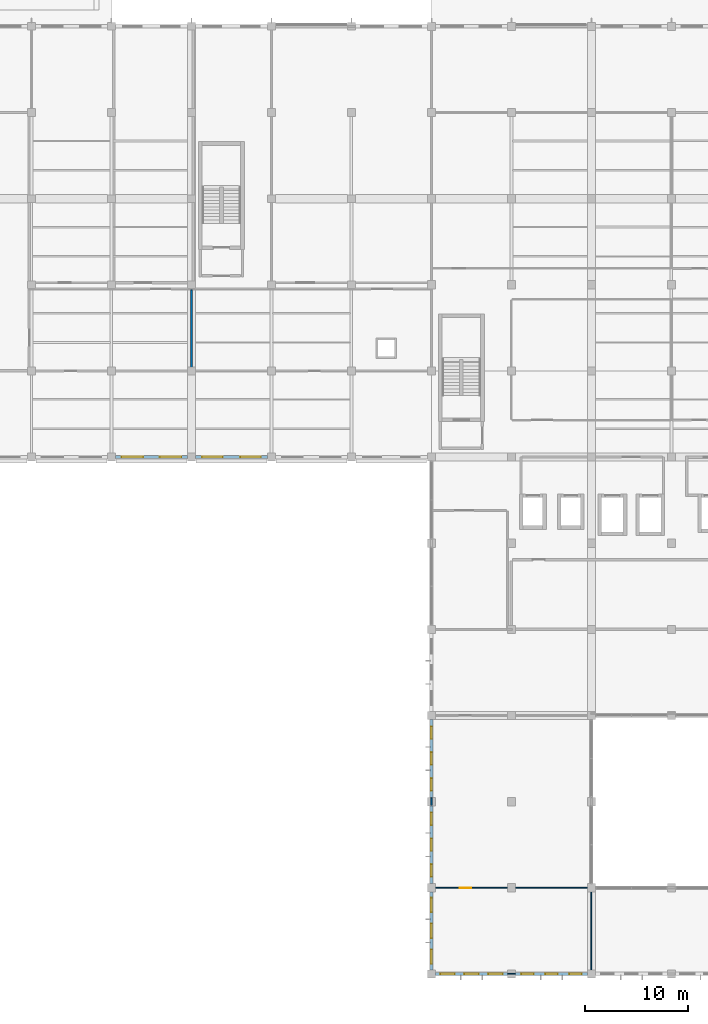
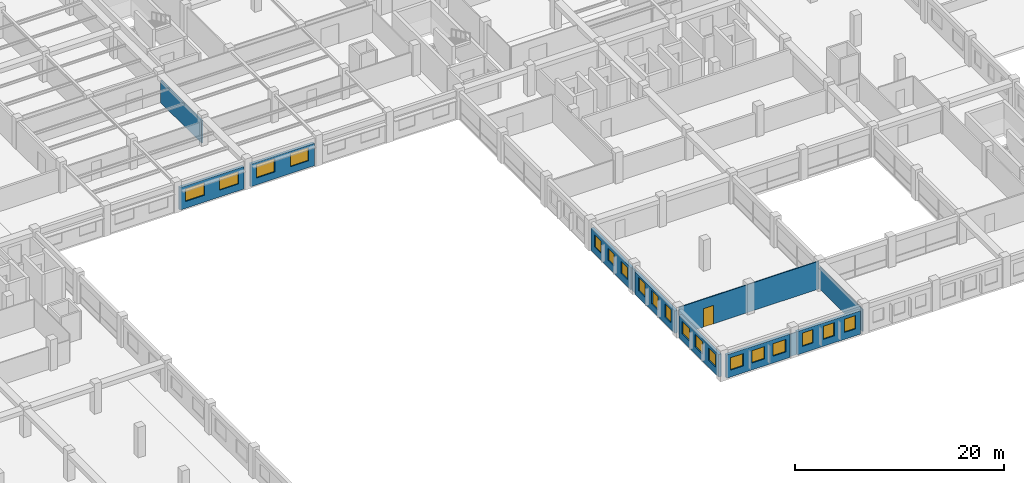
# One storey, part 38 of 50: 19 windows, 12 walls, 1 door, 20 openings.
"""IFC4 building model written with IfcOpenShell, lengths in metres."""

import ifcopenshell
import ifcopenshell.guid

model = None  # the IFC model being written
_history = None  # IfcOwnerHistory: only IFC2X3 demands one
_inside = {}  # id of a spatial element -> (the spatial element, [elements in it])
_under = {}  # id of a project, library or spatial element -> (it, [spatial elements below it])
_declared = {}  # id of a project -> (the project, [libraries it declares])
_typed = {}  # id of a type object -> (the type object, [elements of that type])
_made_of = {}  # id of a material, layer set ... -> (it, [elements and type objects made of it])


def new_model(schema):
    """Start an empty IFC model of exactly this schema.

    Asked for "IFC4X3", IfcOpenShell would pick the latest addendum, in which some entities
    have other attributes; the version numbers below select the first issue.
    IFC2X3 requires an IfcOwnerHistory on every rooted entity: one is made here for all.
    """
    global model, _history
    if schema == "IFC4X3":
        model = ifcopenshell.file(schema_version=(4, 3, 0, 0))
    else:
        model = ifcopenshell.file(schema=schema)
    _inside.clear()
    _under.clear()
    _declared.clear()
    _typed.clear()
    _made_of.clear()
    _history = None
    if model.schema == "IFC2X3":
        org = make("IfcOrganization", Name="unknown")
        user = make(
            "IfcPersonAndOrganization",
            ThePerson=make("IfcPerson", FamilyName="unknown"),
            TheOrganization=org,
        )
        app = make(
            "IfcApplication",
            ApplicationDeveloper=org,
            Version="unknown",
            ApplicationFullName="unknown",
            ApplicationIdentifier="unknown",
        )
        _history = make(
            "IfcOwnerHistory",
            OwningUser=user,
            OwningApplication=app,
            ChangeAction="ADDED",
            CreationDate=0,
        )
    return model


def make(cls, **values):
    """One entity of the class cls with the attributes given. An attribute that is None is left unset."""
    return model.create_entity(
        cls, **{name: value for name, value in values.items() if value is not None}
    )


def rooted(cls, **values):
    """An entity with a GlobalId (a new one), such as an element, a storey or a relation."""
    return make(cls, GlobalId=ifcopenshell.guid.new(), OwnerHistory=_history, **values)


def si_unit(unit_type, name, prefix=None):
    """IfcSIUnit, for example si_unit("LENGTHUNIT", "METRE", prefix="MILLI")."""
    return make("IfcSIUnit", UnitType=unit_type, Prefix=prefix, Name=name)


def assignment(units):
    """IfcUnitAssignment: the units of a project."""
    return None if units is None else make("IfcUnitAssignment", Units=units)


def point(xyz):
    """IfcCartesianPoint."""
    return None if xyz is None else make("IfcCartesianPoint", Coordinates=xyz)


def direction(xyz):
    """IfcDirection."""
    return None if xyz is None else make("IfcDirection", DirectionRatios=xyz)


def frame(location, z_axis=None, x_axis=None):
    """IfcAxis2Placement3D, a coordinate frame: its origin and axes. An axis left out is left unset."""
    return make(
        "IfcAxis2Placement3D",
        Location=point(location),
        Axis=direction(z_axis),
        RefDirection=direction(x_axis),
    )


def frame_2d(location, x_axis=None):
    """IfcAxis2Placement2D, a coordinate frame in the plane: its origin and x axis."""
    return make(
        "IfcAxis2Placement2D", Location=point(location), RefDirection=direction(x_axis)
    )


def origin():
    """The frame at (0, 0, 0) with its axes left unset."""
    return frame((0.0, 0.0, 0.0))


def place(relative_to, where):
    """IfcLocalPlacement: puts the frame where relative to a parent placement (None: the world)."""
    return make(
        "IfcLocalPlacement", PlacementRelTo=relative_to, RelativePlacement=where
    )


def context(
    kind, dimensions, precision=None, world=None, true_north=None, identifier=None
):
    """IfcGeometricRepresentationContext, for example the 3D "Model" context."""
    return make(
        "IfcGeometricRepresentationContext",
        ContextIdentifier=identifier,
        ContextType=kind,
        CoordinateSpaceDimension=dimensions,
        Precision=precision,
        WorldCoordinateSystem=world,
        TrueNorth=true_north,
    )


def subcontext(parent, identifier, kind, view, scale=None):
    """IfcGeometricRepresentationSubContext, for example "Body" below "Model"."""
    return make(
        "IfcGeometricRepresentationSubContext",
        ContextIdentifier=identifier,
        ContextType=kind,
        ParentContext=parent,
        TargetScale=scale,
        TargetView=view,
    )


def project(units=None, contexts=None):
    """IfcProject with its units and contexts."""
    return rooted(
        "IfcProject",
        Name="project",
        RepresentationContexts=contexts,
        UnitsInContext=assignment(units),
    )


def spatial(cls, under=None, at=None, **own):
    """A site, building, storey or space (cls), placed at a placement, below another one or the project."""
    s = rooted(cls, ObjectPlacement=at, **own)
    if under is not None:
        _under.setdefault(under.id(), (under, []))[1].append(s)
    return s


def profile(cls, at=None, kind="AREA", **sizes):
    """A parametric profile (cls). Its sizes go by their IFC names, for example OverallWidth=200.0."""
    return make(cls, ProfileType=kind, Position=at, **sizes)


def rectangle(**sizes):
    """IfcRectangleProfileDef."""
    return profile("IfcRectangleProfileDef", **sizes)


def extrude(swept, where, along, depth):
    """IfcExtrudedAreaSolid: the profile swept, set in the frame where, extruded along a direction by depth."""
    return make(
        "IfcExtrudedAreaSolid",
        SweptArea=swept,
        Position=where,
        ExtrudedDirection=direction(along),
        Depth=depth,
    )


def shape(context_of_items, identifier, shape_type, items):
    """IfcShapeRepresentation: the items that make up one representation, for example the "Body"."""
    return make(
        "IfcShapeRepresentation",
        ContextOfItems=context_of_items,
        RepresentationIdentifier=identifier,
        RepresentationType=shape_type,
        Items=items,
    )


def material(Name=None, Category=None):
    """IfcMaterial."""
    return make("IfcMaterial", Name=Name, Category=Category)


def layer(
    of_material, thickness, ventilated=None, Name=None, Category=None, Priority=None
):
    """IfcMaterialLayer: one layer of a wall or slab, of a material (None: an air gap)."""
    return make(
        "IfcMaterialLayer",
        Material=of_material,
        LayerThickness=thickness,
        IsVentilated=ventilated,
        Name=Name,
        Category=Category,
        Priority=Priority,
    )


def layer_set(layers, Name=None):
    """IfcMaterialLayerSet."""
    return make("IfcMaterialLayerSet", MaterialLayers=layers, LayerSetName=Name)


def made_of(thing, what):
    """Note that an element or type object is made of a material, layer set ...; save() writes the relation."""
    if what is not None:
        _made_of.setdefault(what.id(), (what, []))[1].append(thing)
    return thing


def type_object(cls, material=None, **own):
    """A type object (cls), such as IfcWallType, which elements share."""
    return made_of(rooted(cls, **own), material)


def element(
    cls,
    number,
    at=None,
    inside=None,
    cuts=None,
    type_object=None,
    material=None,
    context=None,
    identifier="Body",
    shape_type=None,
    held_by="IfcProductDefinitionShape",
    body=None,
    shapes=None,
    **own,
):
    """One element of the class cls, such as IfcWall. Its Tag is "e" and its number.

    at: its placement. inside: the storey or other place that contains it. cuts: it is an
    opening in that element (IfcRelVoidsElement). A single representation is given by context,
    identifier, shape_type and body (its items); several are given by shapes. held_by: the class
    of the entity that holds the representations. save() writes the other relations.
    """
    e = rooted(cls, Tag="e%d" % number, ObjectPlacement=at, **own)
    if body is not None:
        shapes = [shape(context, identifier, shape_type, body)]
    if shapes is not None:
        e.Representation = make(held_by, Representations=shapes)
    if inside is not None:
        _inside.setdefault(inside.id(), (inside, []))[1].append(e)
    if cuts is not None:
        rooted(
            "IfcRelVoidsElement", RelatingBuildingElement=cuts, RelatedOpeningElement=e
        )
    if type_object is not None:
        _typed.setdefault(type_object.id(), (type_object, []))[1].append(e)
    return made_of(e, material)


def fill(opening, filler):
    """IfcRelFillsElement: the door or window that sits in an opening."""
    return rooted(
        "IfcRelFillsElement",
        RelatingOpeningElement=opening,
        RelatedBuildingElement=filler,
    )


def aggregate(whole, parts):
    """IfcRelAggregates: a whole, such as a stair, and the parts it consists of."""
    return rooted("IfcRelAggregates", RelatingObject=whole, RelatedObjects=parts)


def save(model, path):
    """Write the relations noted so far, then the file.

    IfcRelAggregates (storeys below a building ...), IfcRelContainedInSpatialStructure (elements
    in a storey), IfcRelDefinesByType, IfcRelAssociatesMaterial and IfcRelDeclares: one each for
    every whole, place, type object, material and project.
    """
    for whole, parts in _under.values():
        aggregate(whole, parts)
    for where, things in _inside.values():
        rooted(
            "IfcRelContainedInSpatialStructure",
            RelatedElements=things,
            RelatingStructure=where,
        )
    for kind, things in _typed.values():
        rooted("IfcRelDefinesByType", RelatedObjects=things, RelatingType=kind)
    for what, things in _made_of.values():
        rooted("IfcRelAssociatesMaterial", RelatedObjects=things, RelatingMaterial=what)
    for by, libraries in _declared.values():
        rooted("IfcRelDeclares", RelatingContext=by, RelatedDefinitions=libraries)
    model.write(path)


model = new_model("IFC4")

# Units and contexts
model_context = context("Model", 3, precision=1e-05, world=origin(), true_north=direction((0.0, 1.0)))
body_context = subcontext(model_context, "Body", "Model", "MODEL_VIEW")
ifc_project = project(units=[si_unit("LENGTHUNIT", "METRE"), si_unit("AREAUNIT", "SQUARE_METRE"), si_unit("VOLUMEUNIT", "CUBIC_METRE"), si_unit("PLANEANGLEUNIT", "RADIAN"), si_unit("MASSUNIT", "GRAM", prefix="KILO"), si_unit("THERMODYNAMICTEMPERATUREUNIT", "KELVIN"), si_unit("POWERUNIT", "WATT")], contexts=[model_context])

# Site, building, storey
site_placement = place(None, origin())
site = spatial("IfcSite", under=ifc_project, at=site_placement, CompositionType="ELEMENT")
building_placement = place(site_placement, origin())
building = spatial("IfcBuilding", under=site, at=building_placement, Name="Srebrne Nadtorze General Hospital", CompositionType="ELEMENT")
storey_placement = place(building_placement, frame((0.0, 0.0, 14.39990234375)))
storey = spatial("IfcBuildingStorey", under=building, at=storey_placement, Name="L03", CompositionType="ELEMENT", Elevation=14.39990234375)

# Walls
ifc_material_1 = material(Name="Gypsum Healthcare Partition")
ifc_layer_1 = layer(ifc_material_1, 0.139892578125)
ifc_layer_set_1 = layer_set([ifc_layer_1], Name="Gypsum Healthcare Partition")
wall_type_1 = type_object("IfcWallType", Name="Clinical partition 140", PredefinedType="PARTITIONING", material=ifc_layer_set_1)
wall_1_placement = place(storey_placement, frame((101.39990234375, 16.43994140625, 0.0), z_axis=(0.0, 0.0, 1.0), x_axis=(0.0, 1.0, 0.0)))
element("IfcWall", 1, at=wall_1_placement, inside=storey, type_object=wall_type_1, Name="Outpatient Rehabilitation Clinic wall WL-INT-L03-1628", PredefinedType="PARTITIONING", context=body_context, shape_type="SweptSolid", body=[
    extrude(rectangle(XDim=0.719970703125, YDim=0.139892578125, at=frame_2d((0.35986328125, 0.0))), origin(), (0.0, 0.0, 1.0), 2.6201171875),
])
ifc_material_2 = material(Name="Gypsum Healthcare Partition")
ifc_layer_2 = layer(ifc_material_2, 0.159912109375)
ifc_layer_set_2 = layer_set([ifc_layer_2], Name="Gypsum Healthcare Partition")
wall_type_2 = type_object("IfcWallType", Name="Clinical partition 160", PredefinedType="PARTITIONING", material=ifc_layer_set_2)
wall_2_placement = place(storey_placement, frame((78.0, 58.885009765625, 0.0), z_axis=(0.0, 0.0, 1.0), x_axis=(0.0, 1.0, 0.0)))
element("IfcWall", 2, at=wall_2_placement, inside=storey, type_object=wall_type_2, Name="Surgical Endoscope Reprocessing Suite wall WL-INT-L03-1652", PredefinedType="PARTITIONING", context=body_context, shape_type="SweptSolid", body=[
    extrude(rectangle(XDim=7.830078125, YDim=0.159912109375, at=frame_2d((3.9150390625, 0.0))), origin(), (0.0, 0.0, 1.0), 2.6201171875),
])

# Wall, openings, windows
ifc_material_3 = material(Name="Concrete C40/50 precast", Category="concrete")
ifc_layer_3 = layer(ifc_material_3, 0.300048828125)
ifc_layer_set_3 = layer_set([ifc_layer_3], Name="Concrete C40/50 precast")
wall_type_3 = type_object("IfcWallType", Name="Limestone precast wall 300", PredefinedType="STANDARD", material=ifc_layer_set_3)
wall_3_placement = place(storey_placement, frame((101.800048828125, 0.0, 0.0), z_axis=(0.0, 0.0, 1.0), x_axis=(1.0, 0.0, 0.0)))
wall_3 = element("IfcWall", 3, at=wall_3_placement, inside=storey, type_object=wall_type_3, Name="Exterior wall WL-ENV-L03-0286", PredefinedType="STANDARD", context=body_context, shape_type="SweptSolid", body=[
    extrude(rectangle(XDim=7.0, YDim=0.300048828125, at=frame_2d((3.5, 0.0))), origin(), (0.0, 0.0, 1.0), 2.72021484375),
])
opening_1_placement = place(wall_3_placement, frame((0.4599609375, 0.0, 0.800048828125)))
opening_1 = element("IfcOpeningElement", 4, at=opening_1_placement, cuts=wall_3, Name="Opening WN-L03-0393", PredefinedType="OPENING", context=body_context, shape_type="SweptSolid", body=[
    extrude(rectangle(XDim=1.39990234375, YDim=1.449951171875, at=frame_2d((0.699951171875, 0.72509765625))), frame((0.0, 0.162109375, 0.0), z_axis=(0.0, -1.0, 0.0), x_axis=(1.0, 0.0, 0.0)), (0.0, 0.0, 1.0), 0.323974609375),
])
opening_2_placement = place(wall_3_placement, frame((2.800048828125, 0.0, 0.800048828125)))
opening_2 = element("IfcOpeningElement", 5, at=opening_2_placement, cuts=wall_3, Name="Opening WN-L03-0394", PredefinedType="OPENING", context=body_context, shape_type="SweptSolid", body=[
    extrude(rectangle(XDim=1.39990234375, YDim=1.449951171875, at=frame_2d((0.699951171875, 0.72509765625))), frame((0.0, 0.162109375, 0.0), z_axis=(0.0, -1.0, 0.0), x_axis=(1.0, 0.0, 0.0)), (0.0, 0.0, 1.0), 0.323974609375),
])
opening_3_placement = place(wall_3_placement, frame((5.139892578125, 0.0, 0.800048828125)))
opening_3 = element("IfcOpeningElement", 6, at=opening_3_placement, cuts=wall_3, Name="Opening WN-L03-0395", PredefinedType="OPENING", context=body_context, shape_type="SweptSolid", body=[
    extrude(rectangle(XDim=1.39990234375, YDim=1.449951171875, at=frame_2d((0.699951171875, 0.72509765625))), frame((0.0, 0.162109375, 0.0), z_axis=(0.0, -1.0, 0.0), x_axis=(1.0, 0.0, 0.0)), (0.0, 0.0, 1.0), 0.323974609375),
])
ifc_material_4 = material(Name="Triple Low-E Glazing", Category="glass")
window_type_1 = type_object("IfcWindowType", Name="Punched clinical window 1400x1450", PartitioningType="SINGLE_PANEL", PredefinedType="WINDOW", material=ifc_material_4)
window_1_placement = place(opening_1_placement, origin())
window_1 = element("IfcWindow", 7, at=window_1_placement, inside=storey, type_object=window_type_1, Name="Clinical window WN-L03-0393", OverallHeight=1.449951171875, OverallWidth=1.39990234375, PartitioningType="SINGLE_PANEL", PredefinedType="WINDOW", context=body_context, shape_type="SweptSolid", body=[
    extrude(rectangle(XDim=1.39990234375, YDim=1.449951171875, at=frame_2d((0.699951171875, 0.72509765625))), frame((0.0, 0.030029296875, 0.0), z_axis=(0.0, -1.0, 0.0), x_axis=(1.0, 0.0, 0.0)), (0.0, 0.0, 1.0), 0.06005859375),
])
fill(opening_1, window_1)
window_2_placement = place(opening_2_placement, origin())
window_2 = element("IfcWindow", 8, at=window_2_placement, inside=storey, type_object=window_type_1, Name="Clinical window WN-L03-0394", OverallHeight=1.449951171875, OverallWidth=1.39990234375, PartitioningType="SINGLE_PANEL", PredefinedType="WINDOW", context=body_context, shape_type="SweptSolid", body=[
    extrude(rectangle(XDim=1.39990234375, YDim=1.449951171875, at=frame_2d((0.699951171875, 0.72509765625))), frame((0.0, 0.030029296875, 0.0), z_axis=(0.0, -1.0, 0.0), x_axis=(1.0, 0.0, 0.0)), (0.0, 0.0, 1.0), 0.06005859375),
])
fill(opening_2, window_2)
window_3_placement = place(opening_3_placement, origin())
window_3 = element("IfcWindow", 9, at=window_3_placement, inside=storey, type_object=window_type_1, Name="Clinical window WN-L03-0395", OverallHeight=1.449951171875, OverallWidth=1.39990234375, PartitioningType="SINGLE_PANEL", PredefinedType="WINDOW", context=body_context, shape_type="SweptSolid", body=[
    extrude(rectangle(XDim=1.39990234375, YDim=1.449951171875, at=frame_2d((0.699951171875, 0.72509765625))), frame((0.0, 0.030029296875, 0.0), z_axis=(0.0, -1.0, 0.0), x_axis=(1.0, 0.0, 0.0)), (0.0, 0.0, 1.0), 0.06005859375),
])
fill(opening_3, window_3)

wall_4_placement = place(storey_placement, frame((109.60009765625, 0.0, 0.0), z_axis=(0.0, 0.0, 1.0), x_axis=(1.0, 0.0, 0.0)))
wall_4 = element("IfcWall", 10, at=wall_4_placement, inside=storey, type_object=wall_type_3, Name="Exterior wall WL-ENV-L03-0287", PredefinedType="STANDARD", context=body_context, shape_type="SweptSolid", body=[
    extrude(rectangle(XDim=7.0, YDim=0.300048828125, at=frame_2d((3.5, 0.0))), origin(), (0.0, 0.0, 1.0), 2.72021484375),
])
opening_4_placement = place(wall_4_placement, frame((0.56005859375, 0.0, 0.800048828125)))
opening_4 = element("IfcOpeningElement", 11, at=opening_4_placement, cuts=wall_4, Name="Opening WN-L03-0396", PredefinedType="OPENING", context=body_context, shape_type="SweptSolid", body=[
    extrude(rectangle(XDim=1.199951171875, YDim=1.550048828125, at=frame_2d((0.60009765625, 0.77490234375))), frame((0.0, 0.162109375, 0.0), z_axis=(0.0, -1.0, 0.0), x_axis=(1.0, 0.0, 0.0)), (0.0, 0.0, 1.0), 0.323974609375),
])
opening_5_placement = place(wall_4_placement, frame((2.89990234375, 0.0, 0.800048828125)))
opening_5 = element("IfcOpeningElement", 12, at=opening_5_placement, cuts=wall_4, Name="Opening WN-L03-0397", PredefinedType="OPENING", context=body_context, shape_type="SweptSolid", body=[
    extrude(rectangle(XDim=1.199951171875, YDim=1.550048828125, at=frame_2d((0.60009765625, 0.77490234375))), frame((0.0, 0.162109375, 0.0), z_axis=(0.0, -1.0, 0.0), x_axis=(1.0, 0.0, 0.0)), (0.0, 0.0, 1.0), 0.323974609375),
])
opening_6_placement = place(wall_4_placement, frame((5.239990234375, 0.0, 0.800048828125)))
opening_6 = element("IfcOpeningElement", 13, at=opening_6_placement, cuts=wall_4, Name="Opening WN-L03-0398", PredefinedType="OPENING", context=body_context, shape_type="SweptSolid", body=[
    extrude(rectangle(XDim=1.199951171875, YDim=1.550048828125, at=frame_2d((0.60009765625, 0.77490234375))), frame((0.0, 0.162109375, 0.0), z_axis=(0.0, -1.0, 0.0), x_axis=(1.0, 0.0, 0.0)), (0.0, 0.0, 1.0), 0.323974609375),
])
ifc_material_5 = material(Name="Triple Low-E Glazing", Category="glass")
window_type_2 = type_object("IfcWindowType", Name="Punched clinical window 1200x1550", PartitioningType="SINGLE_PANEL", PredefinedType="WINDOW", material=ifc_material_5)
window_4_placement = place(opening_4_placement, origin())
window_4 = element("IfcWindow", 14, at=window_4_placement, inside=storey, type_object=window_type_2, Name="Clinical window WN-L03-0396", OverallHeight=1.550048828125, OverallWidth=1.199951171875, PartitioningType="SINGLE_PANEL", PredefinedType="WINDOW", context=body_context, shape_type="SweptSolid", body=[
    extrude(rectangle(XDim=1.199951171875, YDim=1.550048828125, at=frame_2d((0.60009765625, 0.77490234375))), frame((0.0, 0.030029296875, 0.0), z_axis=(0.0, -1.0, 0.0), x_axis=(1.0, 0.0, 0.0)), (0.0, 0.0, 1.0), 0.06005859375),
])
fill(opening_4, window_4)
window_5_placement = place(opening_5_placement, origin())
window_5 = element("IfcWindow", 15, at=window_5_placement, inside=storey, type_object=window_type_2, Name="Clinical window WN-L03-0397", OverallHeight=1.550048828125, OverallWidth=1.199951171875, PartitioningType="SINGLE_PANEL", PredefinedType="WINDOW", context=body_context, shape_type="SweptSolid", body=[
    extrude(rectangle(XDim=1.199951171875, YDim=1.550048828125, at=frame_2d((0.60009765625, 0.77490234375))), frame((0.0, 0.030029296875, 0.0), z_axis=(0.0, -1.0, 0.0), x_axis=(1.0, 0.0, 0.0)), (0.0, 0.0, 1.0), 0.06005859375),
])
fill(opening_5, window_5)
window_6_placement = place(opening_6_placement, origin())
window_6 = element("IfcWindow", 16, at=window_6_placement, inside=storey, type_object=window_type_2, Name="Clinical window WN-L03-0398", OverallHeight=1.550048828125, OverallWidth=1.199951171875, PartitioningType="SINGLE_PANEL", PredefinedType="WINDOW", context=body_context, shape_type="SweptSolid", body=[
    extrude(rectangle(XDim=1.199951171875, YDim=1.550048828125, at=frame_2d((0.60009765625, 0.77490234375))), frame((0.0, 0.030029296875, 0.0), z_axis=(0.0, -1.0, 0.0), x_axis=(1.0, 0.0, 0.0)), (0.0, 0.0, 1.0), 0.06005859375),
])
fill(opening_6, window_6)

wall_5_placement = place(storey_placement, frame((101.39990234375, 0.39990234375, 0.0), z_axis=(0.0, 0.0, 1.0), x_axis=(0.0, 1.0, 0.0)))
wall_5 = element("IfcWall", 17, at=wall_5_placement, inside=storey, type_object=wall_type_3, Name="Exterior wall WL-ENV-L03-0329", PredefinedType="STANDARD", context=body_context, shape_type="SweptSolid", body=[
    extrude(rectangle(XDim=7.60009765625, YDim=0.300048828125, at=frame_2d((3.800048828125, 0.0))), origin(), (0.0, 0.0, 1.0), 2.6201171875),
])
opening_7_placement = place(wall_5_placement, frame((0.580078125, 0.0, 0.800048828125)))
opening_7 = element("IfcOpeningElement", 18, at=opening_7_placement, cuts=wall_5, Name="Opening WN-L03-0473", PredefinedType="OPENING", context=body_context, shape_type="SweptSolid", body=[
    extrude(rectangle(XDim=1.39990234375, YDim=1.449951171875, at=frame_2d((0.699951171875, 0.72509765625))), frame((0.0, 0.162109375, 0.0), z_axis=(0.0, -1.0, 0.0), x_axis=(1.0, 0.0, 0.0)), (0.0, 0.0, 1.0), 0.323974609375),
])
opening_8_placement = place(wall_5_placement, frame((3.10009765625, 0.0, 0.800048828125)))
opening_8 = element("IfcOpeningElement", 19, at=opening_8_placement, cuts=wall_5, Name="Opening WN-L03-0474", PredefinedType="OPENING", context=body_context, shape_type="SweptSolid", body=[
    extrude(rectangle(XDim=1.39990234375, YDim=1.449951171875, at=frame_2d((0.699951171875, 0.72509765625))), frame((0.0, 0.162109375, 0.0), z_axis=(0.0, -1.0, 0.0), x_axis=(1.0, 0.0, 0.0)), (0.0, 0.0, 1.0), 0.323974609375),
])
opening_9_placement = place(wall_5_placement, frame((5.6201171875, 0.0, 0.800048828125)))
opening_9 = element("IfcOpeningElement", 20, at=opening_9_placement, cuts=wall_5, Name="Opening WN-L03-0475", PredefinedType="OPENING", context=body_context, shape_type="SweptSolid", body=[
    extrude(rectangle(XDim=1.39990234375, YDim=1.449951171875, at=frame_2d((0.699951171875, 0.72509765625))), frame((0.0, 0.162109375, 0.0), z_axis=(0.0, -1.0, 0.0), x_axis=(1.0, 0.0, 0.0)), (0.0, 0.0, 1.0), 0.323974609375),
])
window_7_placement = place(opening_7_placement, origin())
window_7 = element("IfcWindow", 21, at=window_7_placement, inside=storey, type_object=window_type_1, Name="Clinical window WN-L03-0473", OverallHeight=1.449951171875, OverallWidth=1.39990234375, PartitioningType="SINGLE_PANEL", PredefinedType="WINDOW", context=body_context, shape_type="SweptSolid", body=[
    extrude(rectangle(XDim=1.39990234375, YDim=1.449951171875, at=frame_2d((0.699951171875, 0.72509765625))), frame((0.0, 0.030029296875, 0.0), z_axis=(0.0, -1.0, 0.0), x_axis=(1.0, 0.0, 0.0)), (0.0, 0.0, 1.0), 0.06005859375),
])
fill(opening_7, window_7)
window_8_placement = place(opening_8_placement, origin())
window_8 = element("IfcWindow", 22, at=window_8_placement, inside=storey, type_object=window_type_1, Name="Clinical window WN-L03-0474", OverallHeight=1.449951171875, OverallWidth=1.39990234375, PartitioningType="SINGLE_PANEL", PredefinedType="WINDOW", context=body_context, shape_type="SweptSolid", body=[
    extrude(rectangle(XDim=1.39990234375, YDim=1.449951171875, at=frame_2d((0.699951171875, 0.72509765625))), frame((0.0, 0.030029296875, 0.0), z_axis=(0.0, -1.0, 0.0), x_axis=(1.0, 0.0, 0.0)), (0.0, 0.0, 1.0), 0.06005859375),
])
fill(opening_8, window_8)
window_9_placement = place(opening_9_placement, origin())
window_9 = element("IfcWindow", 23, at=window_9_placement, inside=storey, type_object=window_type_1, Name="Clinical window WN-L03-0475", OverallHeight=1.449951171875, OverallWidth=1.39990234375, PartitioningType="SINGLE_PANEL", PredefinedType="WINDOW", context=body_context, shape_type="SweptSolid", body=[
    extrude(rectangle(XDim=1.39990234375, YDim=1.449951171875, at=frame_2d((0.699951171875, 0.72509765625))), frame((0.0, 0.030029296875, 0.0), z_axis=(0.0, -1.0, 0.0), x_axis=(1.0, 0.0, 0.0)), (0.0, 0.0, 1.0), 0.06005859375),
])
fill(opening_9, window_9)

wall_6_placement = place(storey_placement, frame((101.39990234375, 8.800048828125, 0.0), z_axis=(0.0, 0.0, 1.0), x_axis=(0.0, 1.0, 0.0)))
wall_6 = element("IfcWall", 24, at=wall_6_placement, inside=storey, type_object=wall_type_3, Name="Exterior wall WL-ENV-L03-0330", PredefinedType="STANDARD", context=body_context, shape_type="SweptSolid", body=[
    extrude(rectangle(XDim=7.599853515625, YDim=0.300048828125, at=frame_2d((3.7998046875, 0.0))), origin(), (0.0, 0.0, 1.0), 2.6201171875),
])
opening_10_placement = place(wall_6_placement, frame((0.679931640625, 0.0, 0.800048828125)))
opening_10 = element("IfcOpeningElement", 25, at=opening_10_placement, cuts=wall_6, Name="Opening WN-L03-0476", PredefinedType="OPENING", context=body_context, shape_type="SweptSolid", body=[
    extrude(rectangle(XDim=1.199951171875, YDim=1.550048828125, at=frame_2d((0.60009765625, 0.77490234375))), frame((0.0, 0.162109375, 0.0), z_axis=(0.0, -1.0, 0.0), x_axis=(1.0, 0.0, 0.0)), (0.0, 0.0, 1.0), 0.323974609375),
])
opening_11_placement = place(wall_6_placement, frame((3.199951171875, 0.0, 0.800048828125)))
opening_11 = element("IfcOpeningElement", 26, at=opening_11_placement, cuts=wall_6, Name="Opening WN-L03-0477", PredefinedType="OPENING", context=body_context, shape_type="SweptSolid", body=[
    extrude(rectangle(XDim=1.199951171875, YDim=1.550048828125, at=frame_2d((0.60009765625, 0.77490234375))), frame((0.0, 0.162109375, 0.0), z_axis=(0.0, -1.0, 0.0), x_axis=(1.0, 0.0, 0.0)), (0.0, 0.0, 1.0), 0.323974609375),
])
opening_12_placement = place(wall_6_placement, frame((5.719970703125, 0.0, 0.800048828125)))
opening_12 = element("IfcOpeningElement", 27, at=opening_12_placement, cuts=wall_6, Name="Opening WN-L03-0478", PredefinedType="OPENING", context=body_context, shape_type="SweptSolid", body=[
    extrude(rectangle(XDim=1.199951171875, YDim=1.550048828125, at=frame_2d((0.60009765625, 0.77490234375))), frame((0.0, 0.162109375, 0.0), z_axis=(0.0, -1.0, 0.0), x_axis=(1.0, 0.0, 0.0)), (0.0, 0.0, 1.0), 0.323974609375),
])
window_10_placement = place(opening_10_placement, origin())
window_10 = element("IfcWindow", 28, at=window_10_placement, inside=storey, type_object=window_type_2, Name="Clinical window WN-L03-0476", OverallHeight=1.550048828125, OverallWidth=1.199951171875, PartitioningType="SINGLE_PANEL", PredefinedType="WINDOW", context=body_context, shape_type="SweptSolid", body=[
    extrude(rectangle(XDim=1.199951171875, YDim=1.550048828125, at=frame_2d((0.60009765625, 0.77490234375))), frame((0.0, 0.030029296875, 0.0), z_axis=(0.0, -1.0, 0.0), x_axis=(1.0, 0.0, 0.0)), (0.0, 0.0, 1.0), 0.06005859375),
])
fill(opening_10, window_10)
window_11_placement = place(opening_11_placement, origin())
window_11 = element("IfcWindow", 29, at=window_11_placement, inside=storey, type_object=window_type_2, Name="Clinical window WN-L03-0477", OverallHeight=1.550048828125, OverallWidth=1.199951171875, PartitioningType="SINGLE_PANEL", PredefinedType="WINDOW", context=body_context, shape_type="SweptSolid", body=[
    extrude(rectangle(XDim=1.199951171875, YDim=1.550048828125, at=frame_2d((0.60009765625, 0.77490234375))), frame((0.0, 0.030029296875, 0.0), z_axis=(0.0, -1.0, 0.0), x_axis=(1.0, 0.0, 0.0)), (0.0, 0.0, 1.0), 0.06005859375),
])
fill(opening_11, window_11)
window_12_placement = place(opening_12_placement, origin())
window_12 = element("IfcWindow", 30, at=window_12_placement, inside=storey, type_object=window_type_2, Name="Clinical window WN-L03-0478", OverallHeight=1.550048828125, OverallWidth=1.199951171875, PartitioningType="SINGLE_PANEL", PredefinedType="WINDOW", context=body_context, shape_type="SweptSolid", body=[
    extrude(rectangle(XDim=1.199951171875, YDim=1.550048828125, at=frame_2d((0.60009765625, 0.77490234375))), frame((0.0, 0.030029296875, 0.0), z_axis=(0.0, -1.0, 0.0), x_axis=(1.0, 0.0, 0.0)), (0.0, 0.0, 1.0), 0.06005859375),
])
fill(opening_12, window_12)

wall_7_placement = place(storey_placement, frame((101.39990234375, 17.199951171875, 0.0), z_axis=(0.0, 0.0, 1.0), x_axis=(0.0, 1.0, 0.0)))
wall_7 = element("IfcWall", 31, at=wall_7_placement, inside=storey, type_object=wall_type_3, Name="Exterior wall WL-ENV-L03-0331", PredefinedType="STANDARD", context=body_context, shape_type="SweptSolid", body=[
    extrude(rectangle(XDim=7.60009765625, YDim=0.300048828125, at=frame_2d((3.800048828125, 0.0))), origin(), (0.0, 0.0, 1.0), 2.6201171875),
])
opening_13_placement = place(wall_7_placement, frame((0.679931640625, 0.0, 0.800048828125)))
opening_13 = element("IfcOpeningElement", 32, at=opening_13_placement, cuts=wall_7, Name="Opening WN-L03-0479", PredefinedType="OPENING", context=body_context, shape_type="SweptSolid", body=[
    extrude(rectangle(XDim=1.199951171875, YDim=1.39990234375, at=frame_2d((0.60009765625, 0.699951171875))), frame((0.0, 0.162109375, 0.0), z_axis=(0.0, -1.0, 0.0), x_axis=(1.0, 0.0, 0.0)), (0.0, 0.0, 1.0), 0.323974609375),
])
opening_14_placement = place(wall_7_placement, frame((3.199951171875, 0.0, 0.800048828125)))
opening_14 = element("IfcOpeningElement", 33, at=opening_14_placement, cuts=wall_7, Name="Opening WN-L03-0480", PredefinedType="OPENING", context=body_context, shape_type="SweptSolid", body=[
    extrude(rectangle(XDim=1.199951171875, YDim=1.39990234375, at=frame_2d((0.60009765625, 0.699951171875))), frame((0.0, 0.162109375, 0.0), z_axis=(0.0, -1.0, 0.0), x_axis=(1.0, 0.0, 0.0)), (0.0, 0.0, 1.0), 0.323974609375),
])
opening_15_placement = place(wall_7_placement, frame((5.719970703125, 0.0, 0.800048828125)))
opening_15 = element("IfcOpeningElement", 34, at=opening_15_placement, cuts=wall_7, Name="Opening WN-L03-0481", PredefinedType="OPENING", context=body_context, shape_type="SweptSolid", body=[
    extrude(rectangle(XDim=1.199951171875, YDim=1.39990234375, at=frame_2d((0.60009765625, 0.699951171875))), frame((0.0, 0.162109375, 0.0), z_axis=(0.0, -1.0, 0.0), x_axis=(1.0, 0.0, 0.0)), (0.0, 0.0, 1.0), 0.323974609375),
])
ifc_material_6 = material(Name="Triple Low-E Glazing", Category="glass")
window_type_3 = type_object("IfcWindowType", Name="Punched clinical window 1200x1400", PartitioningType="SINGLE_PANEL", PredefinedType="WINDOW", material=ifc_material_6)
window_13_placement = place(opening_13_placement, origin())
window_13 = element("IfcWindow", 35, at=window_13_placement, inside=storey, type_object=window_type_3, Name="Clinical window WN-L03-0479", OverallHeight=1.39990234375, OverallWidth=1.199951171875, PartitioningType="SINGLE_PANEL", PredefinedType="WINDOW", context=body_context, shape_type="SweptSolid", body=[
    extrude(rectangle(XDim=1.199951171875, YDim=1.39990234375, at=frame_2d((0.60009765625, 0.699951171875))), frame((0.0, 0.030029296875, 0.0), z_axis=(0.0, -1.0, 0.0), x_axis=(1.0, 0.0, 0.0)), (0.0, 0.0, 1.0), 0.06005859375),
])
fill(opening_13, window_13)
window_14_placement = place(opening_14_placement, origin())
window_14 = element("IfcWindow", 36, at=window_14_placement, inside=storey, type_object=window_type_3, Name="Clinical window WN-L03-0480", OverallHeight=1.39990234375, OverallWidth=1.199951171875, PartitioningType="SINGLE_PANEL", PredefinedType="WINDOW", context=body_context, shape_type="SweptSolid", body=[
    extrude(rectangle(XDim=1.199951171875, YDim=1.39990234375, at=frame_2d((0.60009765625, 0.699951171875))), frame((0.0, 0.030029296875, 0.0), z_axis=(0.0, -1.0, 0.0), x_axis=(1.0, 0.0, 0.0)), (0.0, 0.0, 1.0), 0.06005859375),
])
fill(opening_14, window_14)
window_15_placement = place(opening_15_placement, origin())
window_15 = element("IfcWindow", 37, at=window_15_placement, inside=storey, type_object=window_type_3, Name="Clinical window WN-L03-0481", OverallHeight=1.39990234375, OverallWidth=1.199951171875, PartitioningType="SINGLE_PANEL", PredefinedType="WINDOW", context=body_context, shape_type="SweptSolid", body=[
    extrude(rectangle(XDim=1.199951171875, YDim=1.39990234375, at=frame_2d((0.60009765625, 0.699951171875))), frame((0.0, 0.030029296875, 0.0), z_axis=(0.0, -1.0, 0.0), x_axis=(1.0, 0.0, 0.0)), (0.0, 0.0, 1.0), 0.06005859375),
])
fill(opening_15, window_15)

# Wall, opening, door
ifc_material_7 = material(Name="Gypsum Healthcare Partition")
ifc_layer_4 = layer(ifc_material_7, 0.10009765625)
ifc_layer_set_4 = layer_set([ifc_layer_4], Name="Gypsum Healthcare Partition")
wall_type_4 = type_object("IfcWallType", Name="Shaft lining wall 100", PredefinedType="PARTITIONING", material=ifc_layer_set_4)
wall_8_placement = place(storey_placement, frame((101.485107421875, 8.39990234375, 0.0), z_axis=(0.0, 0.0, 1.0), x_axis=(1.0, 0.0, 0.0)))
wall_8 = element("IfcWall", 38, at=wall_8_placement, inside=storey, type_object=wall_type_4, Name="Outpatient Dermatology Clinic wall WL-INT-L03-1619", PredefinedType="PARTITIONING", context=body_context, shape_type="SweptSolid", body=[
    extrude(rectangle(XDim=15.429931640625, YDim=0.10009765625, at=frame_2d((7.71484375, 0.0))), origin(), (0.0, 0.0, 1.0), 3.25),
])
opening_16_placement = place(wall_8_placement, frame((2.65283203125, 0.0, 0.0)))
opening_16 = element("IfcOpeningElement", 39, at=opening_16_placement, cuts=wall_8, Name="Opening D-L03-0269", PredefinedType="OPENING", context=body_context, shape_type="SweptSolid", body=[
    extrude(rectangle(XDim=1.14990234375, YDim=2.14990234375, at=frame_2d((0.574951171875, 1.074951171875))), frame((0.0, 0.06201171875, 0.0), z_axis=(0.0, -1.0, 0.0), x_axis=(1.0, 0.0, 0.0)), (0.0, 0.0, 1.0), 0.1240234375),
])
ifc_material_8 = material(Name="Anodised Aluminium", Category="aluminium")
door_type = type_object("IfcDoorType", Name="Single leaf door 1150x2150", OperationType="NOTDEFINED", PredefinedType="DOOR", material=ifc_material_8)
door_placement = place(opening_16_placement, frame((1.14990234375, 0.0, 0.0), z_axis=(0.0, 0.0, 1.0), x_axis=(-1.0, 0.0, 0.0)))
door = element("IfcDoor", 40, at=door_placement, inside=storey, type_object=door_type, Name="Outpatient Dermatology Clinic door D-L03-0269", OperationType="SINGLE_SWING_RIGHT", OverallHeight=2.14990234375, OverallWidth=1.14990234375, PredefinedType="DOOR", context=body_context, shape_type="SweptSolid", body=[
    extrude(rectangle(XDim=1.14990234375, YDim=2.14990234375, at=frame_2d((0.574951171875, 1.074951171875))), frame((0.0, 0.02490234375, 0.0), z_axis=(0.0, -1.0, 0.0), x_axis=(1.0, 0.0, 0.0)), (0.0, 0.0, 1.0), 0.050048828125),
])
fill(opening_16, door)

# Walls
wall_9_placement = place(storey_placement, frame((108.840087890625, 0.0, 0.0), z_axis=(0.0, 0.0, 1.0), x_axis=(1.0, 0.0, 0.0)))
element("IfcWall", 41, at=wall_9_placement, inside=storey, type_object=wall_type_4, Name="Outpatient Dermatology Clinic wall WL-INT-L03-1620", PredefinedType="PARTITIONING", context=body_context, shape_type="SweptSolid", body=[
    extrude(rectangle(XDim=0.719970703125, YDim=0.10009765625, at=frame_2d((0.35986328125, 0.0))), origin(), (0.0, 0.0, 1.0), 2.6201171875),
])
wall_10_placement = place(storey_placement, frame((117.0, 0.0849609375, 0.0), z_axis=(0.0, 0.0, 1.0), x_axis=(0.0, 1.0, 0.0)))
element("IfcWall", 42, at=wall_10_placement, inside=storey, type_object=wall_type_4, Name="Outpatient Dermatology Clinic wall WL-INT-L03-1621", PredefinedType="PARTITIONING", context=body_context, shape_type="SweptSolid", body=[
    extrude(rectangle(XDim=8.22998046875, YDim=0.10009765625, at=frame_2d((4.114990234375, 0.0))), origin(), (0.0, 0.0, 1.0), 2.6201171875),
])

# Wall, openings, windows
ifc_material_9 = material(Name="Concrete C35/45 precast", Category="concrete")
ifc_layer_5 = layer(ifc_material_9, 0.280029296875)
ifc_layer_set_5 = layer_set([ifc_layer_5], Name="Concrete C35/45 precast")
wall_type_5 = type_object("IfcWallType", Name="Spandrel wall 280", PredefinedType="STANDARD", material=ifc_layer_set_5)
wall_11_placement = place(storey_placement, frame((70.574951171875, 50.39990234375, 0.0), z_axis=(0.0, 0.0, 1.0), x_axis=(1.0, 0.0, 0.0)))
wall_11 = element("IfcWall", 43, at=wall_11_placement, inside=storey, type_object=wall_type_5, Name="Exterior wall WL-ENV-L03-0294", PredefinedType="STANDARD", context=body_context, shape_type="SweptSolid", body=[
    extrude(rectangle(XDim=7.050048828125, YDim=0.280029296875, at=frame_2d((3.52490234375, 0.0))), origin(), (0.0, 0.0, 1.0), 2.6201171875),
])
opening_17_placement = place(wall_11_placement, frame((0.60302734375, 0.0, 0.800048828125)))
opening_17 = element("IfcOpeningElement", 44, at=opening_17_placement, cuts=wall_11, Name="Opening WN-L03-0415", PredefinedType="OPENING", context=body_context, shape_type="SweptSolid", body=[
    extrude(rectangle(XDim=2.10009765625, YDim=1.449951171875, at=frame_2d((1.050048828125, 0.72509765625))), frame((0.0, 0.15185546875, 0.0), z_axis=(0.0, -1.0, 0.0), x_axis=(1.0, 0.0, 0.0)), (0.0, 0.0, 1.0), 0.303955078125),
])
opening_18_placement = place(wall_11_placement, frame((4.346923828125, 0.0, 0.800048828125)))
opening_18 = element("IfcOpeningElement", 45, at=opening_18_placement, cuts=wall_11, Name="Opening WN-L03-0416", PredefinedType="OPENING", context=body_context, shape_type="SweptSolid", body=[
    extrude(rectangle(XDim=2.10009765625, YDim=1.449951171875, at=frame_2d((1.050048828125, 0.72509765625))), frame((0.0, 0.15185546875, 0.0), z_axis=(0.0, -1.0, 0.0), x_axis=(1.0, 0.0, 0.0)), (0.0, 0.0, 1.0), 0.303955078125),
])
ifc_material_10 = material(Name="Triple Low-E Glazing", Category="glass")
window_type_4 = type_object("IfcWindowType", Name="Punched clinical window 2100x1450", PartitioningType="DOUBLE_PANEL_VERTICAL", PredefinedType="WINDOW", material=ifc_material_10)
window_16_placement = place(opening_17_placement, origin())
window_16 = element("IfcWindow", 46, at=window_16_placement, inside=storey, type_object=window_type_4, Name="Clinical window WN-L03-0415", OverallHeight=1.449951171875, OverallWidth=2.10009765625, PartitioningType="DOUBLE_PANEL_VERTICAL", PredefinedType="WINDOW", context=body_context, shape_type="SweptSolid", body=[
    extrude(rectangle(XDim=2.10009765625, YDim=1.449951171875, at=frame_2d((1.050048828125, 0.72509765625))), frame((0.0, 0.030029296875, 0.0), z_axis=(0.0, -1.0, 0.0), x_axis=(1.0, 0.0, 0.0)), (0.0, 0.0, 1.0), 0.06005859375),
])
fill(opening_17, window_16)
window_17_placement = place(opening_18_placement, origin())
window_17 = element("IfcWindow", 47, at=window_17_placement, inside=storey, type_object=window_type_4, Name="Clinical window WN-L03-0416", OverallHeight=1.449951171875, OverallWidth=2.10009765625, PartitioningType="DOUBLE_PANEL_VERTICAL", PredefinedType="WINDOW", context=body_context, shape_type="SweptSolid", body=[
    extrude(rectangle(XDim=2.10009765625, YDim=1.449951171875, at=frame_2d((1.050048828125, 0.72509765625))), frame((0.0, 0.030029296875, 0.0), z_axis=(0.0, -1.0, 0.0), x_axis=(1.0, 0.0, 0.0)), (0.0, 0.0, 1.0), 0.06005859375),
])
fill(opening_18, window_17)

wall_12_placement = place(storey_placement, frame((78.375, 50.39990234375, 0.0), z_axis=(0.0, 0.0, 1.0), x_axis=(1.0, 0.0, 0.0)))
wall_12 = element("IfcWall", 48, at=wall_12_placement, inside=storey, type_object=wall_type_5, Name="Exterior wall WL-ENV-L03-0295", PredefinedType="STANDARD", context=body_context, shape_type="SweptSolid", body=[
    extrude(rectangle(XDim=7.050048828125, YDim=0.280029296875, at=frame_2d((3.52490234375, 0.0))), origin(), (0.0, 0.0, 1.0), 2.6201171875),
])
opening_19_placement = place(wall_12_placement, frame((0.653076171875, 0.0, 0.800048828125)))
opening_19 = element("IfcOpeningElement", 49, at=opening_19_placement, cuts=wall_12, Name="Opening WN-L03-0417", PredefinedType="OPENING", context=body_context, shape_type="SweptSolid", body=[
    extrude(rectangle(XDim=2.0, YDim=1.550048828125, at=frame_2d((1.0, 0.77490234375))), frame((0.0, 0.15185546875, 0.0), z_axis=(0.0, -1.0, 0.0), x_axis=(1.0, 0.0, 0.0)), (0.0, 0.0, 1.0), 0.303955078125),
])
opening_20_placement = place(wall_12_placement, frame((4.39697265625, 0.0, 0.800048828125)))
opening_20 = element("IfcOpeningElement", 50, at=opening_20_placement, cuts=wall_12, Name="Opening WN-L03-0418", PredefinedType="OPENING", context=body_context, shape_type="SweptSolid", body=[
    extrude(rectangle(XDim=2.0, YDim=1.550048828125, at=frame_2d((1.0, 0.77490234375))), frame((0.0, 0.15185546875, 0.0), z_axis=(0.0, -1.0, 0.0), x_axis=(1.0, 0.0, 0.0)), (0.0, 0.0, 1.0), 0.303955078125),
])
ifc_material_11 = material(Name="Triple Low-E Glazing", Category="glass")
window_type_5 = type_object("IfcWindowType", Name="Punched clinical window 2000x1550", PartitioningType="DOUBLE_PANEL_VERTICAL", PredefinedType="WINDOW", material=ifc_material_11)
window_18_placement = place(opening_19_placement, origin())
window_18 = element("IfcWindow", 51, at=window_18_placement, inside=storey, type_object=window_type_5, Name="Clinical window WN-L03-0417", OverallHeight=1.550048828125, OverallWidth=2.0, PartitioningType="DOUBLE_PANEL_VERTICAL", PredefinedType="WINDOW", context=body_context, shape_type="SweptSolid", body=[
    extrude(rectangle(XDim=2.0, YDim=1.550048828125, at=frame_2d((1.0, 0.77490234375))), frame((0.0, 0.030029296875, 0.0), z_axis=(0.0, -1.0, 0.0), x_axis=(1.0, 0.0, 0.0)), (0.0, 0.0, 1.0), 0.06005859375),
])
fill(opening_19, window_18)
window_19_placement = place(opening_20_placement, origin())
window_19 = element("IfcWindow", 52, at=window_19_placement, inside=storey, type_object=window_type_5, Name="Clinical window WN-L03-0418", OverallHeight=1.550048828125, OverallWidth=2.0, PartitioningType="DOUBLE_PANEL_VERTICAL", PredefinedType="WINDOW", context=body_context, shape_type="SweptSolid", body=[
    extrude(rectangle(XDim=2.0, YDim=1.550048828125, at=frame_2d((1.0, 0.77490234375))), frame((0.0, 0.030029296875, 0.0), z_axis=(0.0, -1.0, 0.0), x_axis=(1.0, 0.0, 0.0)), (0.0, 0.0, 1.0), 0.06005859375),
])
fill(opening_20, window_19)

save(model, "model.ifc")
